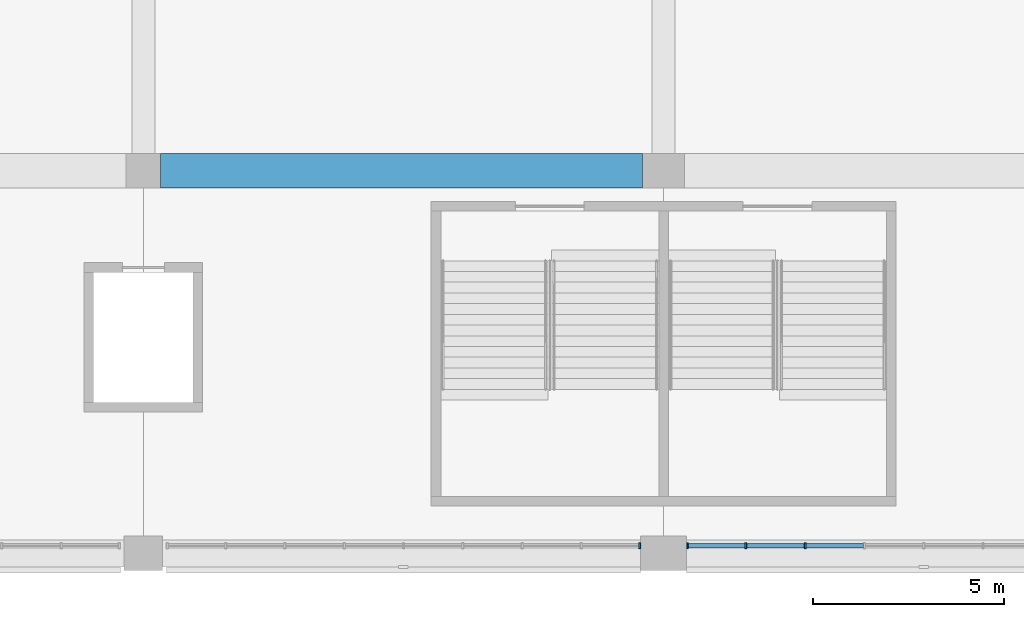
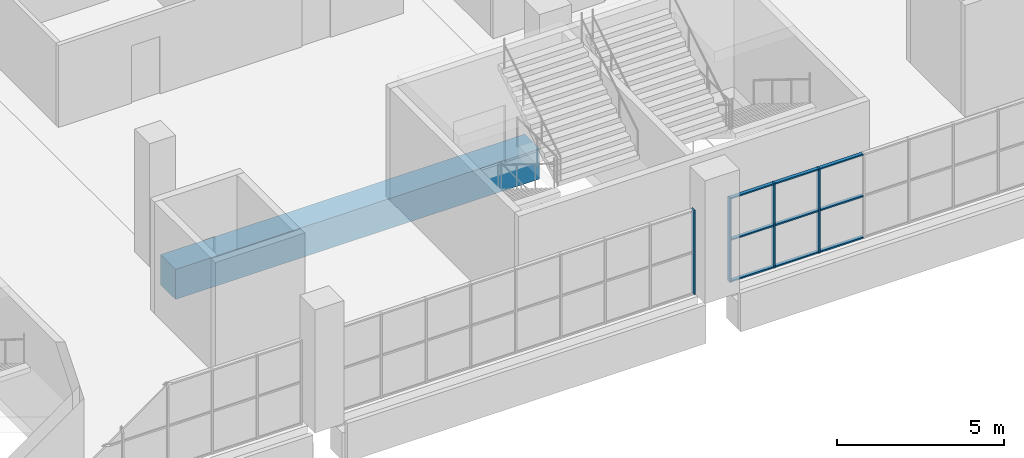
# One storey, part 12 of 199: 13 members, 1 beam, 2 elements without a shape of their own.
"""IFC4 building model written with IfcOpenShell, lengths in metres."""

import ifcopenshell
import ifcopenshell.guid

model = None  # the IFC model being written
_history = None  # IfcOwnerHistory: only IFC2X3 demands one
_inside = {}  # id of a spatial element -> (the spatial element, [elements in it])
_under = {}  # id of a project, library or spatial element -> (it, [spatial elements below it])
_declared = {}  # id of a project -> (the project, [libraries it declares])
_typed = {}  # id of a type object -> (the type object, [elements of that type])
_made_of = {}  # id of a material, layer set ... -> (it, [elements and type objects made of it])


def new_model(schema):
    """Start an empty IFC model of exactly this schema.

    Asked for "IFC4X3", IfcOpenShell would pick the latest addendum, in which some entities
    have other attributes; the version numbers below select the first issue.
    IFC2X3 requires an IfcOwnerHistory on every rooted entity: one is made here for all.
    """
    global model, _history
    if schema == "IFC4X3":
        model = ifcopenshell.file(schema_version=(4, 3, 0, 0))
    else:
        model = ifcopenshell.file(schema=schema)
    _inside.clear()
    _under.clear()
    _declared.clear()
    _typed.clear()
    _made_of.clear()
    _history = None
    if model.schema == "IFC2X3":
        org = make("IfcOrganization", Name="unknown")
        user = make(
            "IfcPersonAndOrganization",
            ThePerson=make("IfcPerson", FamilyName="unknown"),
            TheOrganization=org,
        )
        app = make(
            "IfcApplication",
            ApplicationDeveloper=org,
            Version="unknown",
            ApplicationFullName="unknown",
            ApplicationIdentifier="unknown",
        )
        _history = make(
            "IfcOwnerHistory",
            OwningUser=user,
            OwningApplication=app,
            ChangeAction="ADDED",
            CreationDate=0,
        )
    return model


def make(cls, **values):
    """One entity of the class cls with the attributes given. An attribute that is None is left unset."""
    return model.create_entity(
        cls, **{name: value for name, value in values.items() if value is not None}
    )


def rooted(cls, **values):
    """An entity with a GlobalId (a new one), such as an element, a storey or a relation."""
    return make(cls, GlobalId=ifcopenshell.guid.new(), OwnerHistory=_history, **values)


def si_unit(unit_type, name, prefix=None):
    """IfcSIUnit, for example si_unit("LENGTHUNIT", "METRE", prefix="MILLI")."""
    return make("IfcSIUnit", UnitType=unit_type, Prefix=prefix, Name=name)


def assignment(units):
    """IfcUnitAssignment: the units of a project."""
    return None if units is None else make("IfcUnitAssignment", Units=units)


def point(xyz):
    """IfcCartesianPoint."""
    return None if xyz is None else make("IfcCartesianPoint", Coordinates=xyz)


def direction(xyz):
    """IfcDirection."""
    return None if xyz is None else make("IfcDirection", DirectionRatios=xyz)


def frame(location, z_axis=None, x_axis=None):
    """IfcAxis2Placement3D, a coordinate frame: its origin and axes. An axis left out is left unset."""
    return make(
        "IfcAxis2Placement3D",
        Location=point(location),
        Axis=direction(z_axis),
        RefDirection=direction(x_axis),
    )


def frame_2d(location, x_axis=None):
    """IfcAxis2Placement2D, a coordinate frame in the plane: its origin and x axis."""
    return make(
        "IfcAxis2Placement2D", Location=point(location), RefDirection=direction(x_axis)
    )


def origin():
    """The frame at (0, 0, 0) with its axes left unset."""
    return frame((0.0, 0.0, 0.0))


def origin_2d():
    """The frame at (0, 0) in the plane with its x axis left unset."""
    return frame_2d((0.0, 0.0))


def place(relative_to, where):
    """IfcLocalPlacement: puts the frame where relative to a parent placement (None: the world)."""
    return make(
        "IfcLocalPlacement", PlacementRelTo=relative_to, RelativePlacement=where
    )


def context(
    kind, dimensions, precision=None, world=None, true_north=None, identifier=None
):
    """IfcGeometricRepresentationContext, for example the 3D "Model" context."""
    return make(
        "IfcGeometricRepresentationContext",
        ContextIdentifier=identifier,
        ContextType=kind,
        CoordinateSpaceDimension=dimensions,
        Precision=precision,
        WorldCoordinateSystem=world,
        TrueNorth=true_north,
    )


def subcontext(parent, identifier, kind, view, scale=None):
    """IfcGeometricRepresentationSubContext, for example "Body" below "Model"."""
    return make(
        "IfcGeometricRepresentationSubContext",
        ContextIdentifier=identifier,
        ContextType=kind,
        ParentContext=parent,
        TargetScale=scale,
        TargetView=view,
    )


def project(units=None, contexts=None):
    """IfcProject with its units and contexts."""
    return rooted(
        "IfcProject",
        Name="project",
        RepresentationContexts=contexts,
        UnitsInContext=assignment(units),
    )


def spatial(cls, under=None, at=None, **own):
    """A site, building, storey or space (cls), placed at a placement, below another one or the project."""
    s = rooted(cls, ObjectPlacement=at, **own)
    if under is not None:
        _under.setdefault(under.id(), (under, []))[1].append(s)
    return s


def profile(cls, at=None, kind="AREA", **sizes):
    """A parametric profile (cls). Its sizes go by their IFC names, for example OverallWidth=200.0."""
    return make(cls, ProfileType=kind, Position=at, **sizes)


def rectangle(**sizes):
    """IfcRectangleProfileDef."""
    return profile("IfcRectangleProfileDef", **sizes)


def extrude(swept, where, along, depth):
    """IfcExtrudedAreaSolid: the profile swept, set in the frame where, extruded along a direction by depth."""
    return make(
        "IfcExtrudedAreaSolid",
        SweptArea=swept,
        Position=where,
        ExtrudedDirection=direction(along),
        Depth=depth,
    )


def shape(context_of_items, identifier, shape_type, items):
    """IfcShapeRepresentation: the items that make up one representation, for example the "Body"."""
    return make(
        "IfcShapeRepresentation",
        ContextOfItems=context_of_items,
        RepresentationIdentifier=identifier,
        RepresentationType=shape_type,
        Items=items,
    )


def material(Name=None, Category=None):
    """IfcMaterial."""
    return make("IfcMaterial", Name=Name, Category=Category)


def material_profile(
    of_material, cross_section, Name=None, Category=None, Priority=None
):
    """IfcMaterialProfile: a cross section and its material."""
    return make(
        "IfcMaterialProfile",
        Name=Name,
        Material=of_material,
        Profile=cross_section,
        Priority=Priority,
        Category=Category,
    )


def profile_set(profiles, Name=None, composite=None):
    """IfcMaterialProfileSet."""
    return make(
        "IfcMaterialProfileSet",
        Name=Name,
        MaterialProfiles=profiles,
        CompositeProfile=composite,
    )


def made_of(thing, what):
    """Note that an element or type object is made of a material, layer set ...; save() writes the relation."""
    if what is not None:
        _made_of.setdefault(what.id(), (what, []))[1].append(thing)
    return thing


def type_object(cls, material=None, **own):
    """A type object (cls), such as IfcWallType, which elements share."""
    return made_of(rooted(cls, **own), material)


def element(
    cls,
    number,
    at=None,
    inside=None,
    cuts=None,
    type_object=None,
    material=None,
    context=None,
    identifier="Body",
    shape_type=None,
    held_by="IfcProductDefinitionShape",
    body=None,
    shapes=None,
    **own,
):
    """One element of the class cls, such as IfcWall. Its Tag is "e" and its number.

    at: its placement. inside: the storey or other place that contains it. cuts: it is an
    opening in that element (IfcRelVoidsElement). A single representation is given by context,
    identifier, shape_type and body (its items); several are given by shapes. held_by: the class
    of the entity that holds the representations. save() writes the other relations.
    """
    e = rooted(cls, Tag="e%d" % number, ObjectPlacement=at, **own)
    if body is not None:
        shapes = [shape(context, identifier, shape_type, body)]
    if shapes is not None:
        e.Representation = make(held_by, Representations=shapes)
    if inside is not None:
        _inside.setdefault(inside.id(), (inside, []))[1].append(e)
    if cuts is not None:
        rooted(
            "IfcRelVoidsElement", RelatingBuildingElement=cuts, RelatedOpeningElement=e
        )
    if type_object is not None:
        _typed.setdefault(type_object.id(), (type_object, []))[1].append(e)
    return made_of(e, material)


def aggregate(whole, parts):
    """IfcRelAggregates: a whole, such as a stair, and the parts it consists of."""
    return rooted("IfcRelAggregates", RelatingObject=whole, RelatedObjects=parts)


def save(model, path):
    """Write the relations noted so far, then the file.

    IfcRelAggregates (storeys below a building ...), IfcRelContainedInSpatialStructure (elements
    in a storey), IfcRelDefinesByType, IfcRelAssociatesMaterial and IfcRelDeclares: one each for
    every whole, place, type object, material and project.
    """
    for whole, parts in _under.values():
        aggregate(whole, parts)
    for where, things in _inside.values():
        rooted(
            "IfcRelContainedInSpatialStructure",
            RelatedElements=things,
            RelatingStructure=where,
        )
    for kind, things in _typed.values():
        rooted("IfcRelDefinesByType", RelatedObjects=things, RelatingType=kind)
    for what, things in _made_of.values():
        rooted("IfcRelAssociatesMaterial", RelatedObjects=things, RelatingMaterial=what)
    for by, libraries in _declared.values():
        rooted("IfcRelDeclares", RelatingContext=by, RelatedDefinitions=libraries)
    model.write(path)


model = new_model("IFC4")

# Units and contexts
model_context = context("Model", 3, precision=1e-05, world=origin(), true_north=direction((0.0, 1.0)))
body_context = subcontext(model_context, "Body", "Model", "MODEL_VIEW")
ifc_project = project(units=[si_unit("LENGTHUNIT", "METRE"), si_unit("AREAUNIT", "SQUARE_METRE"), si_unit("VOLUMEUNIT", "CUBIC_METRE"), si_unit("PLANEANGLEUNIT", "RADIAN"), si_unit("MASSUNIT", "GRAM", prefix="KILO")], contexts=[model_context])

# Site, building, storey
site_placement = place(None, origin())
site = spatial("IfcSite", under=ifc_project, at=site_placement, CompositionType="ELEMENT")
building_placement = place(site_placement, origin())
building = spatial("IfcBuilding", under=site, at=building_placement, Name="Ogive Plaza Stadium", CompositionType="ELEMENT")
storey_placement = place(building_placement, frame((0.0, 0.0, 9.0)))
storey = spatial("IfcBuildingStorey", under=building, at=storey_placement, Name="L02", CompositionType="ELEMENT", Elevation=9.0)

# Curtain wall, members
ifc_material_1 = material(Name="Bronze-anodised aluminium with laminated glass", Category="aluminium")
curtain_wall_type = type_object("IfcCurtainWallType", Name="Lancet curtain wall", PredefinedType="NOTDEFINED", material=ifc_material_1)
curtain_wall_1_placement = place(storey_placement, origin())
curtain_wall_1 = element("IfcCurtainWall", 1, at=curtain_wall_1_placement, inside=storey, type_object=curtain_wall_type, Name="CURTAIN WALL B13 L02", PredefinedType="NOTDEFINED")
ifc_material_2 = material(Name="Bronze-anodised aluminium", Category="aluminium")
ifc_material_profile_1 = material_profile(ifc_material_2, rectangle(XDim=0.14990234375, YDim=0.050048828125, at=origin_2d()), Name="AL 150x50")
ifc_profile_set_1 = profile_set([ifc_material_profile_1], Name="Bronze-anodised aluminium")
member_type_1 = type_object("IfcMemberType", Name="Curtain wall mullion 50x150", PredefinedType="MULLION", material=ifc_profile_set_1)
member_1_placement = place(storey_placement, frame((10.5, -102.300048828125, 0.0), z_axis=(0.0, 0.0, 1.0), x_axis=(0.0, -1.0, 0.0)))
member_1 = element("IfcMember", 2, at=member_1_placement, type_object=member_type_1, Name="CW-B13-L02 mullion 7", PredefinedType="MULLION", context=body_context, shape_type="SweptSolid", body=[
    extrude(rectangle(XDim=0.14990234375, YDim=0.050048828125, at=origin_2d()), origin(), (0.0, 0.0, 1.0), 3.090087890625),
])
member_2_placement = place(storey_placement, frame((8.949951171875, -102.300048828125, 0.0), z_axis=(0.0, 0.0, 1.0), x_axis=(0.0, -1.0, 0.0)))
member_2 = element("IfcMember", 3, at=member_2_placement, type_object=member_type_1, Name="CW-B13-L02 mullion 8", PredefinedType="MULLION", context=body_context, shape_type="SweptSolid", body=[
    extrude(rectangle(XDim=0.14990234375, YDim=0.050048828125, at=origin_2d()), origin(), (0.0, 0.0, 1.0), 3.090087890625),
])
member_3_placement = place(storey_placement, frame((7.425048828125, -102.300048828125, 0.0), z_axis=(0.0, 0.0, 1.0), x_axis=(0.0, -1.0, 0.0)))
member_3 = element("IfcMember", 4, at=member_3_placement, type_object=member_type_1, Name="CW-B13-L02 mullion 9", PredefinedType="MULLION", context=body_context, shape_type="SweptSolid", body=[
    extrude(rectangle(XDim=0.14990234375, YDim=0.050048828125, at=origin_2d()), origin(), (0.0, 0.0, 1.0), 3.090087890625),
])

# Curtain wall, member
curtain_wall_2_placement = place(storey_placement, origin())
curtain_wall_2 = element("IfcCurtainWall", 5, at=curtain_wall_2_placement, inside=storey, type_object=curtain_wall_type, Name="CURTAIN WALL B14 L02", PredefinedType="NOTDEFINED")
member_4_placement = place(storey_placement, frame((6.175048828125, -102.300048828125, 0.0), z_axis=(0.0, 0.0, 1.0), x_axis=(0.0, -1.0, 0.0)))
member_4 = element("IfcMember", 6, at=member_4_placement, type_object=member_type_1, Name="CW-B14-L02 mullion 1", PredefinedType="MULLION", context=body_context, shape_type="SweptSolid", body=[
    extrude(rectangle(XDim=0.14990234375, YDim=0.050048828125, at=origin_2d()), origin(), (0.0, 0.0, 1.0), 3.090087890625),
])
aggregate(curtain_wall_2, [member_4])

# Member
ifc_material_3 = material(Name="Bronze-anodised aluminium", Category="aluminium")
ifc_material_profile_2 = material_profile(ifc_material_3, rectangle(XDim=0.1201171875, YDim=0.050048828125, at=origin_2d()), Name="AL 120x50")
ifc_profile_set_2 = profile_set([ifc_material_profile_2], Name="Bronze-anodised aluminium")
member_type_2 = type_object("IfcMemberType", Name="Curtain wall transom 50x120", PredefinedType="USERDEFINED", material=ifc_profile_set_2)
member_5_placement = place(storey_placement, frame((12.02490234375, -102.300048828125, 0.02490234375), z_axis=(-1.0, 0.0, 0.0), x_axis=(0.0, -1.0, 0.0)))
member_5 = element("IfcMember", 7, at=member_5_placement, type_object=member_type_2, Name="CW-B13-L02 transom 6.1", ObjectType="TRANSOM", PredefinedType="USERDEFINED", context=body_context, shape_type="SweptSolid", body=[
    extrude(rectangle(XDim=0.1201171875, YDim=0.050048828125, at=origin_2d()), origin(), (0.0, 0.0, 1.0), 1.5),
])

member_6_placement = place(storey_placement, frame((12.02490234375, -102.300048828125, 1.544921875), z_axis=(-1.0, 0.0, 0.0), x_axis=(0.0, -1.0, 0.0)))
member_6 = element("IfcMember", 8, at=member_6_placement, type_object=member_type_2, Name="CW-B13-L02 transom 6.2", ObjectType="TRANSOM", PredefinedType="USERDEFINED", context=body_context, shape_type="SweptSolid", body=[
    extrude(rectangle(XDim=0.1201171875, YDim=0.050048828125, at=origin_2d()), origin(), (0.0, 0.0, 1.0), 1.5),
])

member_7_placement = place(storey_placement, frame((12.02490234375, -102.300048828125, 3.06494140625), z_axis=(-1.0, 0.0, 0.0), x_axis=(0.0, -1.0, 0.0)))
member_7 = element("IfcMember", 9, at=member_7_placement, type_object=member_type_2, Name="CW-B13-L02 transom 6.3", ObjectType="TRANSOM", PredefinedType="USERDEFINED", context=body_context, shape_type="SweptSolid", body=[
    extrude(rectangle(XDim=0.1201171875, YDim=0.050048828125, at=origin_2d()), origin(), (0.0, 0.0, 1.0), 1.5),
])

member_8_placement = place(storey_placement, frame((10.47509765625, -102.300048828125, 0.02490234375), z_axis=(-1.0, 0.0, 0.0), x_axis=(0.0, -1.0, 0.0)))
member_8 = element("IfcMember", 10, at=member_8_placement, type_object=member_type_2, Name="CW-B13-L02 transom 7.1", ObjectType="TRANSOM", PredefinedType="USERDEFINED", context=body_context, shape_type="SweptSolid", body=[
    extrude(rectangle(XDim=0.1201171875, YDim=0.050048828125, at=origin_2d()), origin(), (0.0, 0.0, 1.0), 1.5),
])

member_9_placement = place(storey_placement, frame((10.47509765625, -102.300048828125, 1.544921875), z_axis=(-1.0, 0.0, 0.0), x_axis=(0.0, -1.0, 0.0)))
member_9 = element("IfcMember", 11, at=member_9_placement, type_object=member_type_2, Name="CW-B13-L02 transom 7.2", ObjectType="TRANSOM", PredefinedType="USERDEFINED", context=body_context, shape_type="SweptSolid", body=[
    extrude(rectangle(XDim=0.1201171875, YDim=0.050048828125, at=origin_2d()), origin(), (0.0, 0.0, 1.0), 1.5),
])

member_10_placement = place(storey_placement, frame((10.47509765625, -102.300048828125, 3.06494140625), z_axis=(-1.0, 0.0, 0.0), x_axis=(0.0, -1.0, 0.0)))
member_10 = element("IfcMember", 12, at=member_10_placement, type_object=member_type_2, Name="CW-B13-L02 transom 7.3", ObjectType="TRANSOM", PredefinedType="USERDEFINED", context=body_context, shape_type="SweptSolid", body=[
    extrude(rectangle(XDim=0.1201171875, YDim=0.050048828125, at=origin_2d()), origin(), (0.0, 0.0, 1.0), 1.5),
])

member_11_placement = place(storey_placement, frame((8.925048828125, -102.300048828125, 0.02490234375), z_axis=(-1.0, 0.0, 0.0), x_axis=(0.0, -1.0, 0.0)))
member_11 = element("IfcMember", 13, at=member_11_placement, type_object=member_type_2, Name="CW-B13-L02 transom 8.1", ObjectType="TRANSOM", PredefinedType="USERDEFINED", context=body_context, shape_type="SweptSolid", body=[
    extrude(rectangle(XDim=0.1201171875, YDim=0.050048828125, at=origin_2d()), origin(), (0.0, 0.0, 1.0), 1.47509765625),
])

member_12_placement = place(storey_placement, frame((8.925048828125, -102.300048828125, 1.544921875), z_axis=(-1.0, 0.0, 0.0), x_axis=(0.0, -1.0, 0.0)))
member_12 = element("IfcMember", 14, at=member_12_placement, type_object=member_type_2, Name="CW-B13-L02 transom 8.2", ObjectType="TRANSOM", PredefinedType="USERDEFINED", context=body_context, shape_type="SweptSolid", body=[
    extrude(rectangle(XDim=0.1201171875, YDim=0.050048828125, at=origin_2d()), origin(), (0.0, 0.0, 1.0), 1.47509765625),
])

member_13_placement = place(storey_placement, frame((8.925048828125, -102.300048828125, 3.06494140625), z_axis=(-1.0, 0.0, 0.0), x_axis=(0.0, -1.0, 0.0)))
member_13 = element("IfcMember", 15, at=member_13_placement, type_object=member_type_2, Name="CW-B13-L02 transom 8.3", ObjectType="TRANSOM", PredefinedType="USERDEFINED", context=body_context, shape_type="SweptSolid", body=[
    extrude(rectangle(XDim=0.1201171875, YDim=0.050048828125, at=origin_2d()), origin(), (0.0, 0.0, 1.0), 1.47509765625),
])

aggregate(curtain_wall_1, [member_1, member_2, member_3, member_5, member_6, member_7, member_8, member_9, member_10, member_11, member_12, member_13])

# Beam
ifc_material_4 = material(Name="Concrete C40/50", Category="concrete")
ifc_material_profile_3 = material_profile(ifc_material_4, rectangle(XDim=0.89990234375, YDim=1.10009765625, at=origin_2d()), Name="RC 900x1100")
ifc_profile_set_3 = profile_set([ifc_material_profile_3], Name="Concrete C40/50")
beam_type = type_object("IfcBeamType", Name="RC ring beam 900x1100", PredefinedType="BEAM", material=ifc_profile_set_3)
beam_placement = place(storey_placement, frame((6.25, -92.5, -0.9599609375), z_axis=(-1.0, 0.0, 0.0), x_axis=(0.0, -1.0, 0.0)))
element("IfcBeam", 16, at=beam_placement, inside=storey, type_object=beam_type, Name="Ring beam F4 L02 B14", PredefinedType="BEAM", context=body_context, shape_type="SweptSolid", body=[
    extrude(rectangle(XDim=0.89990234375, YDim=1.10009765625, at=origin_2d()), origin(), (0.0, 0.0, 1.0), 12.60009765625),
])

save(model, "model.ifc")
